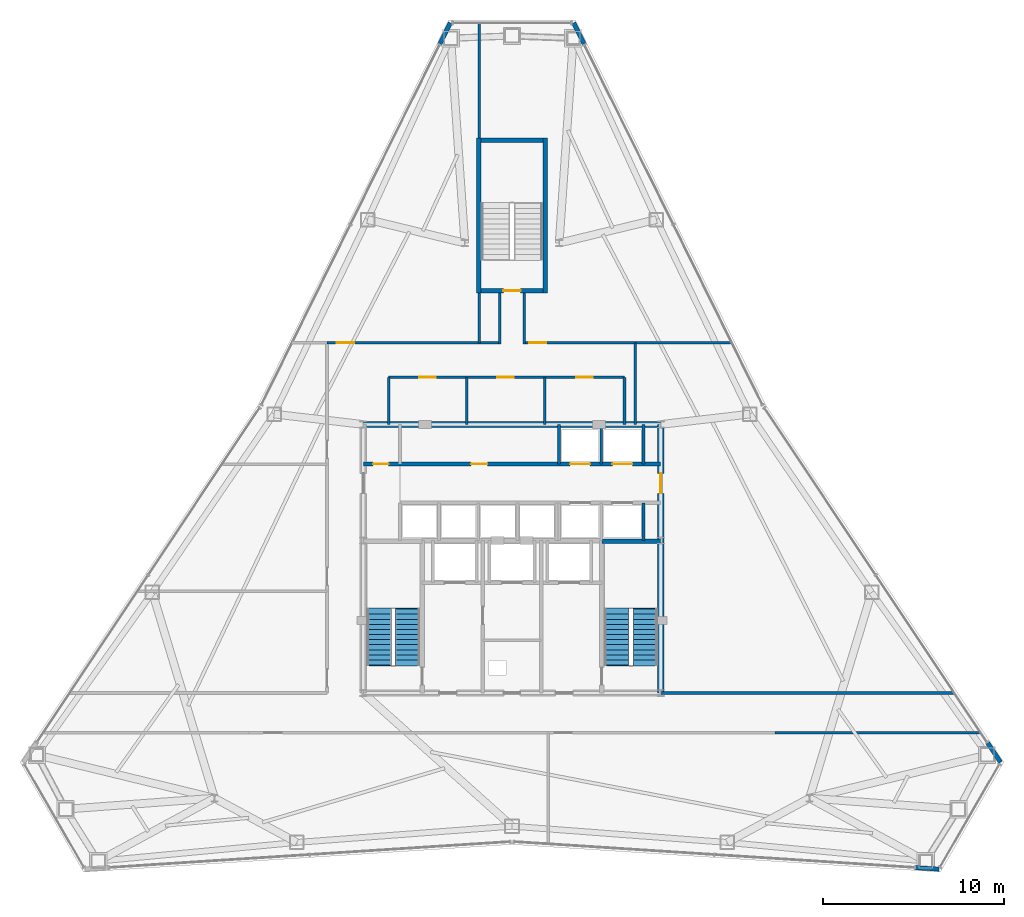
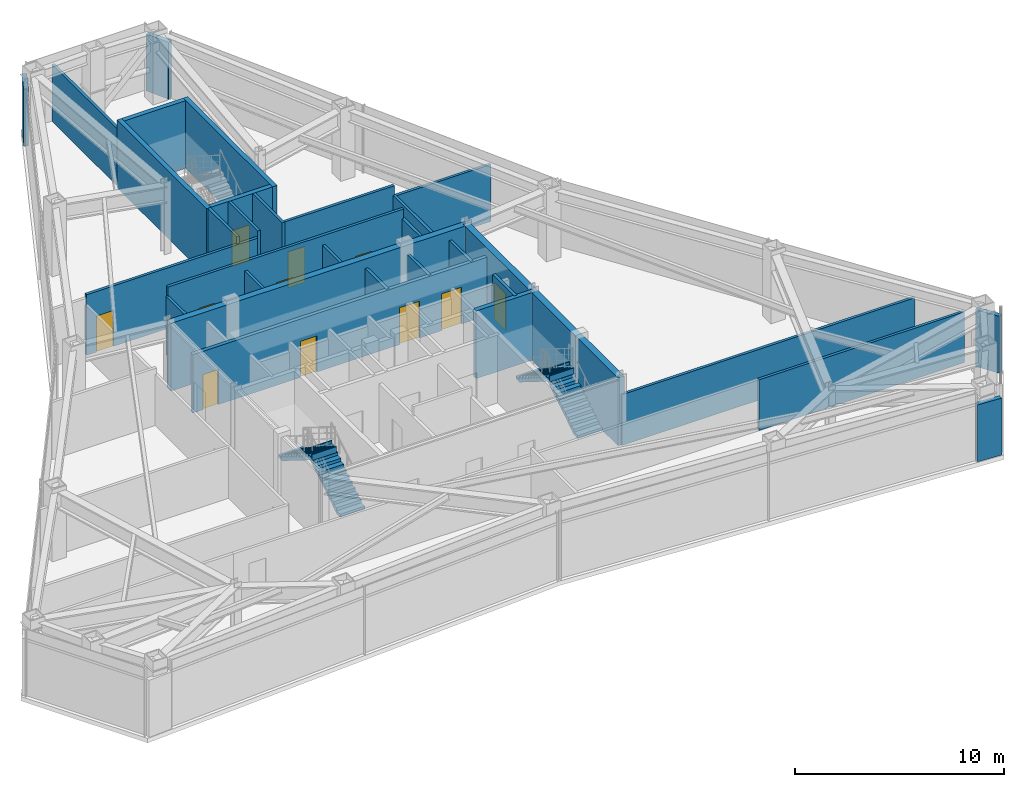
# One storey, part 11 of 13: 31 walls, 11 doors, 4 stair flights, 11 openings, 2 elements without a shape of their own.
"""IFC4 building model written with IfcOpenShell, lengths in metres."""

from ifc_helpers import new_model, si_unit, direction, frame, frame_2d, origin, place, context, subcontext, project, spatial, polyline, rectangle, outline, extrude, material, layer, layer_set, type_object, element, fill, aggregate, save


model = new_model("IFC4")

# Units and contexts
model_context = context("Model", 3, precision=1e-05, world=origin(), true_north=direction((0.0, 1.0)))
body_context = subcontext(model_context, "Body", "Model", "MODEL_VIEW")
ifc_project = project(units=[si_unit("LENGTHUNIT", "METRE"), si_unit("AREAUNIT", "SQUARE_METRE"), si_unit("VOLUMEUNIT", "CUBIC_METRE"), si_unit("PLANEANGLEUNIT", "RADIAN"), si_unit("MASSUNIT", "GRAM", prefix="KILO")], contexts=[model_context])

# Site, building, storey
site_placement = place(None, origin())
site = spatial("IfcSite", under=ifc_project, at=site_placement, CompositionType="ELEMENT")
building_placement = place(site_placement, origin())
building = spatial("IfcBuilding", under=site, at=building_placement, Name="Varakhsha Concourse Tower", CompositionType="ELEMENT")
storey_placement = place(building_placement, frame((0.0, 0.0, 200.699951171875)))
storey = spatial("IfcBuildingStorey", under=building, at=storey_placement, Name="L57", CompositionType="ELEMENT", Elevation=200.699951171875)

# Wall
ifc_material_1 = material(Name="Concrete fc 65 MPa", Category="concrete")
ifc_layer_1 = layer(ifc_material_1, 0.35009765625, Name="WL-CORE-350")
ifc_layer_set_1 = layer_set([ifc_layer_1], Name="Concrete fc 65 MPa")
wall_type_1 = type_object("IfcWallType", Name="WL-CORE-350", PredefinedType="SHEAR", material=ifc_layer_set_1)
wall_1_placement = place(storey_placement, frame((31.800048828125, 31.199951171875, 0.0), z_axis=(0.0, 0.0, 1.0), x_axis=(1.0, 0.0, 0.0)))
element("IfcWall", 1, at=wall_1_placement, inside=storey, type_object=wall_type_1, Name="L57 Wall CWALL-N-L57", PredefinedType="SHEAR", context=body_context, shape_type="SweptSolid", body=[
    extrude(rectangle(XDim=16.39990234375, YDim=0.35009765625, at=frame_2d((8.199951171875, 0.0))), origin(), (0.0, 0.0, 1.0), 3.949951171875),
])

# Wall, opening, door
wall_2_placement = place(storey_placement, frame((48.199951171875, 16.39990234375, 0.0), z_axis=(0.0, 0.0, 1.0), x_axis=(0.0, 1.0, 0.0)))
wall_2 = element("IfcWall", 2, at=wall_2_placement, inside=storey, type_object=wall_type_1, Name="L57 Wall CWALL-E-L57", PredefinedType="SHEAR", context=body_context, shape_type="SweptSolid", body=[
    extrude(rectangle(XDim=14.800048828125, YDim=0.35009765625, at=frame_2d((7.39990234375, 0.0))), origin(), (0.0, 0.0, 1.0), 3.949951171875),
])
opening_1_placement = place(wall_2_placement, frame((11.0, 0.0, 0.0)))
opening_1 = element("IfcOpeningElement", 3, at=opening_1_placement, cuts=wall_2, Name="Opening DL-01", PredefinedType="OPENING", context=body_context, shape_type="SweptSolid", body=[
    extrude(rectangle(XDim=1.10009765625, YDim=2.14990234375, at=frame_2d((0.550048828125, 1.074951171875))), frame((0.0, 0.18505859375, 0.0), z_axis=(0.0, -1.0, 0.0), x_axis=(1.0, 0.0, 0.0)), (0.0, 0.0, 1.0), 0.3701171875),
])
ifc_material_2 = material(Name="Anodised Bronze Architectural Aluminium AA 6063-T6", Category="aluminium")
door_type_1 = type_object("IfcDoorType", Name="DR-LOB-1100", OperationType="NOTDEFINED", PredefinedType="DOOR", material=ifc_material_2)
door_1_placement = place(opening_1_placement, origin())
door_1 = element("IfcDoor", 4, at=door_1_placement, inside=storey, type_object=door_type_1, Name="L57 Lift Lobby East Concourse Door", OperationType="SINGLE_SWING_RIGHT", OverallHeight=2.14990234375, OverallWidth=1.10009765625, PredefinedType="DOOR", context=body_context, shape_type="SweptSolid", body=[
    extrude(rectangle(XDim=1.10009765625, YDim=2.14990234375, at=frame_2d((0.550048828125, 1.074951171875))), frame((0.0, 0.02490234375, 0.0), z_axis=(0.0, -1.0, 0.0), x_axis=(1.0, 0.0, 0.0)), (0.0, 0.0, 1.0), 0.050048828125),
])
fill(opening_1, door_1)

# Walls
ifc_material_3 = material(Name="Concrete fc 45 MPa", Category="concrete")
ifc_layer_2 = layer(ifc_material_3, 0.239990234375, Name="WL-EXT-CRN-240")
ifc_layer_set_2 = layer_set([ifc_layer_2], Name="Concrete fc 45 MPa")
wall_type_2 = type_object("IfcWallType", Name="WL-EXT-CRN-240", PredefinedType="SHEAR", material=ifc_layer_set_2)
wall_3_placement = place(storey_placement, frame((36.600341796875, 53.340087890625, 0.0), z_axis=(0.0, 0.0, 1.0), x_axis=(-0.443198935227, -0.896423283842, 0.0)))
element("IfcWall", 5, at=wall_3_placement, inside=storey, type_object=wall_type_2, Name="L57 Wind-Corner Shoulder Wall F2", PredefinedType="SHEAR", context=body_context, shape_type="SweptSolid", body=[
    extrude(rectangle(XDim=1.290771484375, YDim=0.239990234375, at=frame_2d((0.6455078125, 0.0))), origin(), (0.0, 0.0, 1.0), 3.322998046875),
])
wall_4_placement = place(storey_placement, frame((62.248291015625, 6.768798828125, 0.0), z_axis=(0.0, 0.0, 1.0), x_axis=(0.997929227966, -0.064321504741, 0.0)))
element("IfcWall", 6, at=wall_4_placement, inside=storey, type_object=wall_type_2, Name="L57 Wind-Corner Shoulder Wall F6", PredefinedType="SHEAR", context=body_context, shape_type="SweptSolid", body=[
    extrude(rectangle(XDim=1.29052734375, YDim=0.239990234375, at=frame_2d((0.645263671875, 0.0))), origin(), (0.0, 0.0, 1.0), 3.322998046875),
])
wall_5_placement = place(storey_placement, frame((66.935302734375, 12.574951171875, 0.0), z_axis=(0.0, 0.0, 1.0), x_axis=(-0.554700196225, 0.832050294338, 0.0)))
element("IfcWall", 7, at=wall_5_placement, inside=storey, type_object=wall_type_2, Name="L57 Wind-Corner Shoulder Wall F8", PredefinedType="SHEAR", context=body_context, shape_type="SweptSolid", body=[
    extrude(rectangle(XDim=1.28955078125, YDim=0.239990234375, at=frame_2d((0.644775390625, 0.0))), origin(), (0.0, 0.0, 1.0), 3.322998046875),
])
wall_6_placement = place(storey_placement, frame((43.9716796875, 52.18310546875, 0.0), z_axis=(0.0, 0.0, 1.0), x_axis=(-0.443198935227, 0.896423283842, 0.0)))
element("IfcWall", 8, at=wall_6_placement, inside=storey, type_object=wall_type_2, Name="L57 Wind-Corner Shoulder Wall F9", PredefinedType="SHEAR", context=body_context, shape_type="SweptSolid", body=[
    extrude(rectangle(XDim=1.290771484375, YDim=0.239990234375, at=frame_2d((0.6455078125, 0.0))), origin(), (0.0, 0.0, 1.0), 3.322998046875),
])

# Wall, openings, doors
ifc_material_4 = material(Name="Fire-Rated Type X Gypsum Partition Assembly", Category="gypsum")
ifc_layer_3 = layer(ifc_material_4, 0.14990234375, Name="WL-PART-150")
ifc_layer_set_3 = layer_set([ifc_layer_3], Name="Fire-Rated Type X Gypsum Partition Assembly")
wall_type_3 = type_object("IfcWallType", Name="WL-PART-150", PredefinedType="PARTITIONING", material=ifc_layer_set_3)
wall_7_placement = place(storey_placement, frame((33.199951171875, 33.800048828125, 0.0), z_axis=(0.0, 0.0, 1.0), x_axis=(1.0, 0.0, 0.0)))
wall_7 = element("IfcWall", 9, at=wall_7_placement, inside=storey, type_object=wall_type_3, Name="L57 Wall NBOH-N-L57", PredefinedType="PARTITIONING", context=body_context, shape_type="SweptSolid", body=[
    extrude(rectangle(XDim=13.0, YDim=0.14990234375, at=frame_2d((6.5, 0.0))), origin(), (0.0, 0.0, 1.0), 3.949951171875),
])
opening_2_placement = place(wall_7_placement, frame((1.699951171875, 0.0, 0.0)))
opening_2 = element("IfcOpeningElement", 10, at=opening_2_placement, cuts=wall_7, Name="Opening DF-06", PredefinedType="OPENING", context=body_context, shape_type="SweptSolid", body=[
    extrude(rectangle(XDim=0.89990234375, YDim=2.10009765625, at=frame_2d((0.449951171875, 1.050048828125))), frame((0.0, 0.0849609375, 0.0), z_axis=(0.0, -1.0, 0.0), x_axis=(1.0, 0.0, 0.0)), (0.0, 0.0, 1.0), 0.169921875),
])
opening_3_placement = place(wall_7_placement, frame((6.0, 0.0, 0.0)))
opening_3 = element("IfcOpeningElement", 11, at=opening_3_placement, cuts=wall_7, Name="Opening DF-06", PredefinedType="OPENING", context=body_context, shape_type="SweptSolid", body=[
    extrude(rectangle(XDim=0.89990234375, YDim=2.10009765625, at=frame_2d((0.449951171875, 1.050048828125))), frame((0.0, 0.0849609375, 0.0), z_axis=(0.0, -1.0, 0.0), x_axis=(1.0, 0.0, 0.0)), (0.0, 0.0, 1.0), 0.169921875),
])
opening_4_placement = place(wall_7_placement, frame((10.35009765625, 0.0, 0.0)))
opening_4 = element("IfcOpeningElement", 12, at=opening_4_placement, cuts=wall_7, Name="Opening DF-06", PredefinedType="OPENING", context=body_context, shape_type="SweptSolid", body=[
    extrude(rectangle(XDim=0.89990234375, YDim=2.10009765625, at=frame_2d((0.449951171875, 1.050048828125))), frame((0.0, 0.0849609375, 0.0), z_axis=(0.0, -1.0, 0.0), x_axis=(1.0, 0.0, 0.0)), (0.0, 0.0, 1.0), 0.169921875),
])
ifc_material_5 = material(Name="Hollow Galvanised Steel Fire Door Assembly", Category="steel")
door_type_2 = type_object("IfcDoorType", Name="DR-FD60-900", OperationType="NOTDEFINED", PredefinedType="DOOR", material=ifc_material_5)
door_2_placement = place(opening_2_placement, origin())
door_2 = element("IfcDoor", 13, at=door_2_placement, inside=storey, type_object=door_type_2, Name="L57 Men Restroom WC Door", OperationType="SINGLE_SWING_LEFT", OverallHeight=2.10009765625, OverallWidth=0.89990234375, PredefinedType="DOOR", context=body_context, shape_type="SweptSolid", body=[
    extrude(rectangle(XDim=0.89990234375, YDim=2.10009765625, at=frame_2d((0.449951171875, 1.050048828125))), frame((0.0, 0.02490234375, 0.0), z_axis=(0.0, -1.0, 0.0), x_axis=(1.0, 0.0, 0.0)), (0.0, 0.0, 1.0), 0.050048828125),
])
fill(opening_2, door_2)
door_3_placement = place(opening_3_placement, origin())
door_3 = element("IfcDoor", 14, at=door_3_placement, inside=storey, type_object=door_type_2, Name="L57 Women Restroom WC Door", OperationType="SINGLE_SWING_RIGHT", OverallHeight=2.10009765625, OverallWidth=0.89990234375, PredefinedType="DOOR", context=body_context, shape_type="SweptSolid", body=[
    extrude(rectangle(XDim=0.89990234375, YDim=2.10009765625, at=frame_2d((0.449951171875, 1.050048828125))), frame((0.0, 0.02490234375, 0.0), z_axis=(0.0, -1.0, 0.0), x_axis=(1.0, 0.0, 0.0)), (0.0, 0.0, 1.0), 0.050048828125),
])
fill(opening_3, door_3)
door_4_placement = place(opening_4_placement, origin())
door_4 = element("IfcDoor", 15, at=door_4_placement, inside=storey, type_object=door_type_2, Name="L57 Accessible WC Door", OperationType="SINGLE_SWING_LEFT", OverallHeight=2.10009765625, OverallWidth=0.89990234375, PredefinedType="DOOR", context=body_context, shape_type="SweptSolid", body=[
    extrude(rectangle(XDim=0.89990234375, YDim=2.10009765625, at=frame_2d((0.449951171875, 1.050048828125))), frame((0.0, 0.02490234375, 0.0), z_axis=(0.0, -1.0, 0.0), x_axis=(1.0, 0.0, 0.0)), (0.0, 0.0, 1.0), 0.050048828125),
])
fill(opening_4, door_4)

# Walls
for number, where, z_axis, x_axis, name in (
    (16, (33.199951171875, 31.199951171875, 0.0), (0.0, 0.0, 1.0), (0.0, 1.0, 0.0), "L57 Wall NBOH-W-L57"),
    (17, (46.199951171875, 31.199951171875, 0.0), (0.0, 0.0, 1.0), (0.0, 1.0, 0.0), "L57 Wall NBOH-E-L57"),
    (18, (37.5, 31.199951171875, 0.0), (0.0, 0.0, 1.0), (0.0, 1.0, 0.0), "L57 Wall NBOH-D1-L57"),
    (19, (41.800048828125, 31.199951171875, 0.0), (0.0, 0.0, 1.0), (0.0, 1.0, 0.0), "L57 Wall NBOH-D2-L57"),
):
    element("IfcWall", number, at=place(storey_placement, frame(where, z_axis=z_axis, x_axis=x_axis)), inside=storey, type_object=wall_type_3, Name=name, PredefinedType="PARTITIONING", context=body_context, shape_type="SweptSolid", body=[
        extrude(rectangle(XDim=2.60009765625, YDim=0.14990234375, at=frame_2d((1.300048828125, 0.0))), origin(), (0.0, 0.0, 1.0), 3.405029296875),
    ])
wall_8_placement = place(storey_placement, frame((54.5, 14.199951171875, 0.0), z_axis=(0.0, 0.0, 1.0), x_axis=(1.0, 0.0, 0.0)))
element("IfcWall", 20, at=wall_8_placement, inside=storey, type_object=wall_type_3, Name="L57 Wall CRW-SGAL-SE-L57", PredefinedType="PARTITIONING", context=body_context, shape_type="SweptSolid", body=[
    extrude(rectangle(XDim=11.34619140625, YDim=0.14990234375, at=frame_2d((5.673095703125, 0.0))), origin(), (0.0, 0.0, 1.0), 2.965087890625),
])
wall_9_placement = place(storey_placement, frame((48.199951171875, 16.39990234375, 0.0), z_axis=(0.0, 0.0, 1.0), x_axis=(1.0, 0.0, 0.0)))
element("IfcWall", 21, at=wall_9_placement, inside=storey, type_object=wall_type_3, Name="L57 Wall CRW-SGAL-NE-L57", PredefinedType="PARTITIONING", context=body_context, shape_type="SweptSolid", body=[
    extrude(rectangle(XDim=16.179931640625, YDim=0.14990234375, at=frame_2d((8.08984375, 0.0))), origin(), (0.0, 0.0, 1.0), 2.965087890625),
])

# Wall, opening, door
wall_10_placement = place(storey_placement, frame((29.800048828125, 35.699951171875, 0.0), z_axis=(0.0, 0.0, 1.0), x_axis=(1.0, 0.0, 0.0)))
wall_10 = element("IfcWall", 22, at=wall_10_placement, inside=storey, type_object=wall_type_3, Name="L57 Wall CRW-N-L57", PredefinedType="PARTITIONING", context=body_context, shape_type="SweptSolid", body=[
    extrude(rectangle(XDim=9.449951171875, YDim=0.14990234375, at=frame_2d((4.72509765625, 0.0))), origin(), (0.0, 0.0, 1.0), 3.532958984375),
])
opening_5_placement = place(wall_10_placement, frame((0.550048828125, 0.0, 0.0)))
opening_5 = element("IfcOpeningElement", 23, at=opening_5_placement, cuts=wall_10, Name="Opening DF-05", PredefinedType="OPENING", context=body_context, shape_type="SweptSolid", body=[
    extrude(rectangle(XDim=0.949951171875, YDim=2.10009765625, at=frame_2d((0.47509765625, 1.050048828125))), frame((0.0, 0.0849609375, 0.0), z_axis=(0.0, -1.0, 0.0), x_axis=(1.0, 0.0, 0.0)), (0.0, 0.0, 1.0), 0.169921875),
])
door_type_3 = type_object("IfcDoorType", Name="DR-FD60-950", OperationType="NOTDEFINED", PredefinedType="DOOR", material=ifc_material_5)
door_5_placement = place(opening_5_placement, origin())
door_5 = element("IfcDoor", 24, at=door_5_placement, inside=storey, type_object=door_type_3, Name="L57 Mountain View Concourse Briefing Room L57-N1 Door", OperationType="SINGLE_SWING_LEFT", OverallHeight=2.10009765625, OverallWidth=0.949951171875, PredefinedType="DOOR", context=body_context, shape_type="SweptSolid", body=[
    extrude(rectangle(XDim=0.949951171875, YDim=2.10009765625, at=frame_2d((0.47509765625, 1.050048828125))), frame((0.0, 0.02490234375, 0.0), z_axis=(0.0, -1.0, 0.0), x_axis=(1.0, 0.0, 0.0)), (0.0, 0.0, 1.0), 0.050048828125),
])
fill(opening_5, door_5)

wall_11_placement = place(storey_placement, frame((40.75, 35.699951171875, 0.0), z_axis=(0.0, 0.0, 1.0), x_axis=(1.0, 0.0, 0.0)))
wall_11 = element("IfcWall", 25, at=wall_11_placement, inside=storey, type_object=wall_type_3, Name="L57 Wall CRW-N-L57-B", PredefinedType="PARTITIONING", context=body_context, shape_type="SweptSolid", body=[
    extrude(rectangle(XDim=6.050048828125, YDim=0.14990234375, at=frame_2d((3.02490234375, 0.0))), origin(), (0.0, 0.0, 1.0), 3.949951171875),
])
opening_6_placement = place(wall_11_placement, frame((0.199951171875, 0.0, 0.0)))
opening_6 = element("IfcOpeningElement", 26, at=opening_6_placement, cuts=wall_11, Name="Opening DF-05", PredefinedType="OPENING", context=body_context, shape_type="SweptSolid", body=[
    extrude(rectangle(XDim=0.949951171875, YDim=2.10009765625, at=frame_2d((0.47509765625, 1.050048828125))), frame((0.0, 0.0849609375, 0.0), z_axis=(0.0, -1.0, 0.0), x_axis=(1.0, 0.0, 0.0)), (0.0, 0.0, 1.0), 0.169921875),
])
door_6_placement = place(opening_6_placement, origin())
door_6 = element("IfcDoor", 27, at=door_6_placement, inside=storey, type_object=door_type_3, Name="L57 North Sky Lobby Transfer Lounge L57-N2 Door", OperationType="SINGLE_SWING_RIGHT", OverallHeight=2.10009765625, OverallWidth=0.949951171875, PredefinedType="DOOR", context=body_context, shape_type="SweptSolid", body=[
    extrude(rectangle(XDim=0.949951171875, YDim=2.10009765625, at=frame_2d((0.47509765625, 1.050048828125))), frame((0.0, 0.02490234375, 0.0), z_axis=(0.0, -1.0, 0.0), x_axis=(1.0, 0.0, 0.0)), (0.0, 0.0, 1.0), 0.050048828125),
])
fill(opening_6, door_6)

# Walls
wall_12_placement = place(storey_placement, frame((46.800048828125, 31.199951171875, 0.0), z_axis=(0.0, 0.0, 1.0), x_axis=(0.0, 1.0, 0.0)))
element("IfcWall", 28, at=wall_12_placement, inside=storey, type_object=wall_type_3, Name="L57 Wall CRW-NE-L57", PredefinedType="PARTITIONING", context=body_context, shape_type="SweptSolid", body=[
    extrude(rectangle(XDim=4.5, YDim=0.14990234375, at=frame_2d((2.25, 0.0))), origin(), (0.0, 0.0, 1.0), 3.405029296875),
])
wall_13_placement = place(storey_placement, frame((46.800048828125, 35.699951171875, 0.0), z_axis=(0.0, 0.0, 1.0), x_axis=(1.0, 0.0, 0.0)))
element("IfcWall", 29, at=wall_13_placement, inside=storey, type_object=wall_type_3, Name="L57 Wall ODIV-EBN-L57", PredefinedType="PARTITIONING", context=body_context, shape_type="SweptSolid", body=[
    extrude(rectangle(XDim=5.31884765625, YDim=0.14990234375, at=frame_2d((2.659423828125, 0.0))), origin(), (0.0, 0.0, 1.0), 3.3291015625),
])
wall_14_placement = place(storey_placement, frame((38.199951171875, 35.699951171875, 0.0), z_axis=(0.0, 0.0, 1.0), x_axis=(0.0, 1.0, 0.0)))
element("IfcWall", 30, at=wall_14_placement, inside=storey, type_object=wall_type_3, Name="L57 Wall ODIV-N1-L57", PredefinedType="PARTITIONING", context=body_context, shape_type="SweptSolid", body=[
    extrude(rectangle(XDim=2.75, YDim=0.14990234375, at=frame_2d((1.375, 0.0))), origin(), (0.0, 0.0, 1.0), 3.949951171875),
])
wall_15_placement = place(storey_placement, frame((38.199951171875, 47.0, 0.0), z_axis=(0.0, 0.0, 1.0), x_axis=(0.0, 1.0, 0.0)))
element("IfcWall", 31, at=wall_15_placement, inside=storey, type_object=wall_type_3, Name="L57 Wall ODIV-N1-L57-B", PredefinedType="PARTITIONING", context=body_context, shape_type="SweptSolid", body=[
    extrude(rectangle(XDim=6.332763671875, YDim=0.14990234375, at=frame_2d((3.16650390625, 0.0))), origin(), (0.0, 0.0, 1.0), 3.3291015625),
])
for number, where, z_axis, x_axis, name in (
    (32, (39.324951171875, 35.625, 0.0), (0.0, 0.0, 1.0), (0.0, 1.0, 0.0), "L57 Wall STUB-W-L57"),
    (33, (40.675048828125, 35.625, 0.0), (0.0, 0.0, 1.0), (0.0, 1.0, 0.0), "L57 Wall STUB-E-L57"),
):
    element("IfcWall", number, at=place(storey_placement, frame(where, z_axis=z_axis, x_axis=x_axis)), inside=storey, type_object=wall_type_3, Name=name, PredefinedType="PARTITIONING", context=body_context, shape_type="SweptSolid", body=[
        extrude(rectangle(XDim=2.824951171875, YDim=0.14990234375, at=frame_2d((1.41259765625, 0.0))), origin(), (0.0, 0.0, 1.0), 3.949951171875),
    ])

# Wall, openings, doors
ifc_layer_4 = layer(ifc_material_4, 0.199951171875, Name="WL-SHAFT-220")
ifc_layer_set_4 = layer_set([ifc_layer_4], Name="Fire-Rated Type X Gypsum Partition Assembly")
wall_type_4 = type_object("IfcWallType", Name="WL-SHAFT-220", PredefinedType="SOLIDWALL", material=ifc_layer_set_4)
wall_16_placement = place(storey_placement, frame((31.800048828125, 29.02001953125, 0.0), z_axis=(0.0, 0.0, 1.0), x_axis=(1.0, 0.0, 0.0)))
wall_16 = element("IfcWall", 34, at=wall_16_placement, inside=storey, type_object=wall_type_4, Name="L57 Wall PLW-N-L57", PredefinedType="SOLIDWALL", context=body_context, shape_type="SweptSolid", body=[
    extrude(rectangle(XDim=16.39990234375, YDim=0.199951171875, at=frame_2d((8.199951171875, 0.0))), origin(), (0.0, 0.0, 1.0), 3.405029296875),
])
opening_7_placement = place(wall_16_placement, frame((0.550048828125, 0.0, 0.0)))
opening_7 = element("IfcOpeningElement", 35, at=opening_7_placement, cuts=wall_16, Name="Opening DF-07", PredefinedType="OPENING", context=body_context, shape_type="SweptSolid", body=[
    extrude(rectangle(XDim=0.85009765625, YDim=2.050048828125, at=frame_2d((0.425048828125, 1.02490234375))), frame((0.0, 0.10986328125, 0.0), z_axis=(0.0, -1.0, 0.0), x_axis=(1.0, 0.0, 0.0)), (0.0, 0.0, 1.0), 0.219970703125),
])
opening_8_placement = place(wall_16_placement, frame((5.93994140625, 0.0, 0.0)))
opening_8 = element("IfcOpeningElement", 36, at=opening_8_placement, cuts=wall_16, Name="Opening DF-06", PredefinedType="OPENING", context=body_context, shape_type="SweptSolid", body=[
    extrude(rectangle(XDim=0.89990234375, YDim=2.10009765625, at=frame_2d((0.449951171875, 1.050048828125))), frame((0.0, 0.10986328125, 0.0), z_axis=(0.0, -1.0, 0.0), x_axis=(1.0, 0.0, 0.0)), (0.0, 0.0, 1.0), 0.219970703125),
])
opening_9_placement = place(wall_16_placement, frame((11.409912109375, 0.0, 0.0)))
opening_9 = element("IfcOpeningElement", 37, at=opening_9_placement, cuts=wall_16, Name="Opening LD-LF-P09", PredefinedType="OPENING", context=body_context, shape_type="SweptSolid", body=[
    extrude(rectangle(XDim=1.10009765625, YDim=2.14990234375, at=frame_2d((0.550048828125, 1.074951171875))), frame((0.0, 0.10986328125, 0.0), z_axis=(0.0, -1.0, 0.0), x_axis=(1.0, 0.0, 0.0)), (0.0, 0.0, 1.0), 0.219970703125),
])
opening_10_placement = place(wall_16_placement, frame((13.72998046875, 0.0, 0.0)))
opening_10 = element("IfcOpeningElement", 38, at=opening_10_placement, cuts=wall_16, Name="Opening LD-LF-P10", PredefinedType="OPENING", context=body_context, shape_type="SweptSolid", body=[
    extrude(rectangle(XDim=1.10009765625, YDim=2.14990234375, at=frame_2d((0.550048828125, 1.074951171875))), frame((0.0, 0.10986328125, 0.0), z_axis=(0.0, -1.0, 0.0), x_axis=(1.0, 0.0, 0.0)), (0.0, 0.0, 1.0), 0.219970703125),
])
door_type_4 = type_object("IfcDoorType", Name="DR-FD60-850", OperationType="NOTDEFINED", PredefinedType="DOOR", material=ifc_material_5)
door_7_placement = place(opening_7_placement, origin())
door_7 = element("IfcDoor", 39, at=door_7_placement, inside=storey, type_object=door_type_4, Name="L57 Core Janitor Closet Door", OperationType="SINGLE_SWING_LEFT", OverallHeight=2.050048828125, OverallWidth=0.85009765625, PredefinedType="DOOR", context=body_context, shape_type="SweptSolid", body=[
    extrude(rectangle(XDim=0.85009765625, YDim=2.050048828125, at=frame_2d((0.425048828125, 1.02490234375))), frame((0.0, 0.02490234375, 0.0), z_axis=(0.0, -1.0, 0.0), x_axis=(1.0, 0.0, 0.0)), (0.0, 0.0, 1.0), 0.050048828125),
])
fill(opening_7, door_7)
door_8_placement = place(opening_8_placement, origin())
door_8 = element("IfcDoor", 40, at=door_8_placement, inside=storey, type_object=door_type_2, Name="L57 Tenant Archive and IT Server Room Door", OperationType="SINGLE_SWING_LEFT", OverallHeight=2.10009765625, OverallWidth=0.89990234375, PredefinedType="DOOR", context=body_context, shape_type="SweptSolid", body=[
    extrude(rectangle(XDim=0.89990234375, YDim=2.10009765625, at=frame_2d((0.449951171875, 1.050048828125))), frame((0.0, 0.02490234375, 0.0), z_axis=(0.0, -1.0, 0.0), x_axis=(1.0, 0.0, 0.0)), (0.0, 0.0, 1.0), 0.050048828125),
])
fill(opening_8, door_8)
ifc_material_6 = material(Name="Brushed Austenitic Stainless Steel AISI 316", Category="steel")
door_type_5 = type_object("IfcDoorType", Name="DR-LD-1100", OperationType="DOUBLE_DOOR_SLIDING", PredefinedType="DOOR", material=ifc_material_6)
door_9_placement = place(opening_9_placement, origin())
door_9 = element("IfcDoor", 41, at=door_9_placement, inside=storey, type_object=door_type_5, Name="Lift Landing Door LF-P09 L57", OperationType="DOUBLE_DOOR_SLIDING", OverallHeight=2.14990234375, OverallWidth=1.10009765625, PredefinedType="DOOR", context=body_context, shape_type="SweptSolid", body=[
    extrude(rectangle(XDim=1.10009765625, YDim=2.14990234375, at=frame_2d((0.550048828125, 1.074951171875))), frame((0.0, 0.02490234375, 0.0), z_axis=(0.0, -1.0, 0.0), x_axis=(1.0, 0.0, 0.0)), (0.0, 0.0, 1.0), 0.050048828125),
])
fill(opening_9, door_9)
door_10_placement = place(opening_10_placement, origin())
door_10 = element("IfcDoor", 42, at=door_10_placement, inside=storey, type_object=door_type_5, Name="Lift Landing Door LF-P10 L57", OperationType="DOUBLE_DOOR_SLIDING", OverallHeight=2.14990234375, OverallWidth=1.10009765625, PredefinedType="DOOR", context=body_context, shape_type="SweptSolid", body=[
    extrude(rectangle(XDim=1.10009765625, YDim=2.14990234375, at=frame_2d((0.550048828125, 1.074951171875))), frame((0.0, 0.02490234375, 0.0), z_axis=(0.0, -1.0, 0.0), x_axis=(1.0, 0.0, 0.0)), (0.0, 0.0, 1.0), 0.050048828125),
])
fill(opening_10, door_10)

# Walls
for number, where, z_axis, x_axis, name in (
    (43, (42.60009765625, 29.02001953125, 0.0), (0.0, 0.0, 1.0), (0.0, 1.0, 0.0), "L57 Wall SHW-LF-P09-W-L57"),
    (44, (44.919921875, 29.02001953125, 0.0), (0.0, 0.0, 1.0), (0.0, 1.0, 0.0), "L57 Wall SHW-LF-P09-E-L57"),
    (45, (47.239990234375, 29.02001953125, 0.0), (0.0, 0.0, 1.0), (0.0, 1.0, 0.0), "L57 Wall SHW-LF-P10-E-L57"),
):
    element("IfcWall", number, at=place(storey_placement, frame(where, z_axis=z_axis, x_axis=x_axis)), inside=storey, type_object=wall_type_4, Name=name, PredefinedType="SOLIDWALL", context=body_context, shape_type="SweptSolid", body=[
        extrude(rectangle(XDim=2.179931640625, YDim=0.159912109375, at=frame_2d((1.08984375, 0.0))), origin(), (0.0, 0.0, 1.0), 3.405029296875),
    ])
wall_17_placement = place(storey_placement, frame((47.239990234375, 24.800048828125, 0.0), z_axis=(0.0, 0.0, 1.0), x_axis=(0.0, 1.0, 0.0)))
element("IfcWall", 46, at=wall_17_placement, inside=storey, type_object=wall_type_4, Name="L57 Wall SHW-LF-P12-E-L57", PredefinedType="SOLIDWALL", context=body_context, shape_type="SweptSolid", body=[
    extrude(rectangle(XDim=2.079833984375, YDim=0.159912109375, at=frame_2d((1.0400390625, 0.0))), origin(), (0.0, 0.0, 1.0), 3.949951171875),
])
ifc_layer_5 = layer(ifc_material_3, 0.25, Name="WL-STAIR-250")
ifc_layer_set_5 = layer_set([ifc_layer_5], Name="Concrete fc 45 MPa")
wall_type_5 = type_object("IfcWallType", Name="WL-STAIR-250", PredefinedType="SHEAR", material=ifc_layer_set_5)
wall_18_placement = place(storey_placement, frame((44.955078125, 24.7548828125, 0.0), z_axis=(0.0, 0.0, 1.0), x_axis=(1.0, 0.0, 0.0)))
element("IfcWall", 47, at=wall_18_placement, inside=storey, type_object=wall_type_5, Name="L57 Wall SWALL-ST2-N-L57", PredefinedType="SHEAR", context=body_context, shape_type="SweptSolid", body=[
    extrude(rectangle(XDim=3.244873046875, YDim=0.25, at=frame_2d((1.62255859375, 0.0))), origin(), (0.0, 0.0, 1.0), 3.949951171875),
])
for number, where, z_axis, x_axis, name in (
    (48, (38.175048828125, 38.449951171875, 0.0), (0.0, 0.0, 1.0), (0.0, 1.0, 0.0), "L57 Wall SWALL-ST5-W-L57"),
    (49, (41.824951171875, 38.449951171875, 0.0), (0.0, 0.0, 1.0), (0.0, 1.0, 0.0), "L57 Wall SWALL-ST5-E-L57"),
):
    element("IfcWall", number, at=place(storey_placement, frame(where, z_axis=z_axis, x_axis=x_axis)), inside=storey, type_object=wall_type_5, Name=name, PredefinedType="SHEAR", context=body_context, shape_type="SweptSolid", body=[
        extrude(rectangle(XDim=8.550048828125, YDim=0.25, at=frame_2d((4.27490234375, 0.0))), origin(), (0.0, 0.0, 1.0), 3.949951171875),
    ])

# Wall, opening, door
wall_19_placement = place(storey_placement, frame((38.300048828125, 38.574951171875, 0.0), z_axis=(0.0, 0.0, 1.0), x_axis=(1.0, 0.0, 0.0)))
wall_19 = element("IfcWall", 50, at=wall_19_placement, inside=storey, type_object=wall_type_5, Name="L57 Wall SWALL-ST5-S-L57", PredefinedType="SHEAR", context=body_context, shape_type="SweptSolid", body=[
    extrude(rectangle(XDim=3.39990234375, YDim=0.25, at=frame_2d((1.699951171875, 0.0))), origin(), (0.0, 0.0, 1.0), 3.949951171875),
])
opening_11_placement = place(wall_19_placement, frame((1.22509765625, 0.0, 0.0)))
opening_11 = element("IfcOpeningElement", 51, at=opening_11_placement, cuts=wall_19, Name="Opening DF-03", PredefinedType="OPENING", context=body_context, shape_type="SweptSolid", body=[
    extrude(rectangle(XDim=0.949951171875, YDim=2.10009765625, at=frame_2d((0.47509765625, 1.050048828125))), frame((0.0, 0.135009765625, 0.0), z_axis=(0.0, -1.0, 0.0), x_axis=(1.0, 0.0, 0.0)), (0.0, 0.0, 1.0), 0.27001953125),
])
door_type_6 = type_object("IfcDoorType", Name="DR-FD90-950", OperationType="NOTDEFINED", PredefinedType="DOOR", material=ifc_material_5)
door_11_placement = place(opening_11_placement, origin())
door_11 = element("IfcDoor", 52, at=door_11_placement, inside=storey, type_object=door_type_6, Name="L57 Stair ST5 Fire Door", OperationType="SINGLE_SWING_RIGHT", OverallHeight=2.10009765625, OverallWidth=0.949951171875, PredefinedType="DOOR", context=body_context, shape_type="SweptSolid", body=[
    extrude(rectangle(XDim=0.949951171875, YDim=2.10009765625, at=frame_2d((0.47509765625, 1.050048828125))), frame((0.0, 0.02490234375, 0.0), z_axis=(0.0, -1.0, 0.0), x_axis=(1.0, 0.0, 0.0)), (0.0, 0.0, 1.0), 0.050048828125),
])
fill(opening_11, door_11)

# Wall
wall_20_placement = place(storey_placement, frame((38.300048828125, 46.875, 0.0), z_axis=(0.0, 0.0, 1.0), x_axis=(1.0, 0.0, 0.0)))
element("IfcWall", 53, at=wall_20_placement, inside=storey, type_object=wall_type_5, Name="L57 Wall SWALL-ST5-N-L57", PredefinedType="SHEAR", context=body_context, shape_type="SweptSolid", body=[
    extrude(rectangle(XDim=3.39990234375, YDim=0.25, at=frame_2d((1.699951171875, 0.0))), origin(), (0.0, 0.0, 1.0), 3.949951171875),
])

# Stair, stair flights
stair_type = type_object("IfcStairType", Name="ST-DOGLEG-1360", PredefinedType="HALF_TURN_STAIR", material=ifc_material_3)
stair_1_placement = place(storey_placement, origin())
stair_1 = element("IfcStair", 54, at=stair_1_placement, inside=storey, type_object=stair_type, Name="L57 Protected Exit Stair ST1", PredefinedType="HALF_TURN_STAIR")
stair_flight_type = type_object("IfcStairFlightType", Name="STF-1360-R1750", PredefinedType="STRAIGHT", material=ifc_material_3)
stair_flight_1_placement = place(storey_placement, frame((34.239990234375, 17.93994140625, 0.0), z_axis=(0.0, 0.0, 1.0), x_axis=(0.0, 1.0, 0.0)))
stair_flight_1 = element("IfcStairFlight", 55, at=stair_flight_1_placement, type_object=stair_flight_type, Name="ST1 flight 1", NumberOfRisers=12, NumberOfTreads=11, PredefinedType="STRAIGHT", RiserHeight=0.175, TreadLength=0.28, context=body_context, shape_type="SweptSolid", body=[
    extrude(outline(polyline([(-0.06005859375, 0.0), (-0.06005859375, 0.175048828125), (0.0, 0.175048828125), (0.280029296875, 0.175048828125), (0.280029296875, 0.35009765625), (0.56005859375, 0.35009765625), (0.56005859375, 0.52490234375), (0.840087890625, 0.52490234375), (0.840087890625, 0.699951171875), (1.1201171875, 0.699951171875), (1.1201171875, 0.875), (1.39990234375, 0.875), (1.39990234375, 1.050048828125), (1.679931640625, 1.050048828125), (1.679931640625, 1.22509765625), (1.9599609375, 1.22509765625), (1.9599609375, 1.39990234375), (2.239990234375, 1.39990234375), (2.239990234375, 1.574951171875), (2.52001953125, 1.574951171875), (2.52001953125, 1.75), (2.800048828125, 1.75), (2.800048828125, 1.925048828125), (3.080078125, 1.925048828125), (3.080078125, 2.10009765625), (3.139892578125, 2.10009765625), (3.139892578125, 1.748291015625), (3.080078125, 1.748291015625), (0.28271484375, 0.0), (-0.06005859375, 0.0)])), frame((0.0, 0.68017578125, 0.0), z_axis=(0.0, -1.0, 0.0), x_axis=(1.0, 0.0, 0.0)), (0.0, 0.0, 1.0), 1.360107421875),
])
stair_flight_2_placement = place(storey_placement, frame((32.679931640625, 21.02001953125, 2.10009765625), z_axis=(0.0, 0.0, 1.0), x_axis=(0.0, -1.0, 0.0)))
stair_flight_2 = element("IfcStairFlight", 56, at=stair_flight_2_placement, type_object=stair_flight_type, Name="ST1 flight 2", NumberOfRisers=12, NumberOfTreads=11, PredefinedType="STRAIGHT", RiserHeight=0.175, TreadLength=0.28, context=body_context, shape_type="SweptSolid", body=[
    extrude(outline(polyline([(-0.06005859375, 0.0), (-0.06005859375, 0.175048828125), (0.0, 0.175048828125), (0.280029296875, 0.175048828125), (0.280029296875, 0.35009765625), (0.56005859375, 0.35009765625), (0.56005859375, 0.52490234375), (0.840087890625, 0.52490234375), (0.840087890625, 0.699951171875), (1.1201171875, 0.699951171875), (1.1201171875, 0.875), (1.39990234375, 0.875), (1.39990234375, 1.050048828125), (1.679931640625, 1.050048828125), (1.679931640625, 1.22509765625), (1.9599609375, 1.22509765625), (1.9599609375, 1.39990234375), (2.239990234375, 1.39990234375), (2.239990234375, 1.574951171875), (2.52001953125, 1.574951171875), (2.52001953125, 1.75), (2.800048828125, 1.75), (2.800048828125, 1.925048828125), (3.080078125, 1.925048828125), (3.080078125, 2.10009765625), (3.139892578125, 2.10009765625), (3.139892578125, 1.748291015625), (3.080078125, 1.748291015625), (0.28271484375, 0.0), (-0.06005859375, 0.0)])), frame((0.0, 0.68017578125, 0.0), z_axis=(0.0, -1.0, 0.0), x_axis=(1.0, 0.0, 0.0)), (0.0, 0.0, 1.0), 1.360107421875),
])
aggregate(stair_1, [stair_flight_1, stair_flight_2])

stair_2_placement = place(storey_placement, origin())
stair_2 = element("IfcStair", 57, at=stair_2_placement, inside=storey, type_object=stair_type, Name="L57 Protected Exit Stair ST2", PredefinedType="HALF_TURN_STAIR")
stair_flight_3_placement = place(storey_placement, frame((47.340087890625, 17.93994140625, 0.0), z_axis=(0.0, 0.0, 1.0), x_axis=(0.0, 1.0, 0.0)))
stair_flight_3 = element("IfcStairFlight", 58, at=stair_flight_3_placement, type_object=stair_flight_type, Name="ST2 flight 1", NumberOfRisers=12, NumberOfTreads=11, PredefinedType="STRAIGHT", RiserHeight=0.175, TreadLength=0.28, context=body_context, shape_type="SweptSolid", body=[
    extrude(outline(polyline([(-0.06005859375, 0.0), (-0.06005859375, 0.175048828125), (0.0, 0.175048828125), (0.280029296875, 0.175048828125), (0.280029296875, 0.35009765625), (0.56005859375, 0.35009765625), (0.56005859375, 0.52490234375), (0.840087890625, 0.52490234375), (0.840087890625, 0.699951171875), (1.1201171875, 0.699951171875), (1.1201171875, 0.875), (1.39990234375, 0.875), (1.39990234375, 1.050048828125), (1.679931640625, 1.050048828125), (1.679931640625, 1.22509765625), (1.9599609375, 1.22509765625), (1.9599609375, 1.39990234375), (2.239990234375, 1.39990234375), (2.239990234375, 1.574951171875), (2.52001953125, 1.574951171875), (2.52001953125, 1.75), (2.800048828125, 1.75), (2.800048828125, 1.925048828125), (3.080078125, 1.925048828125), (3.080078125, 2.10009765625), (3.139892578125, 2.10009765625), (3.139892578125, 1.748291015625), (3.080078125, 1.748291015625), (0.28271484375, 0.0), (-0.06005859375, 0.0)])), frame((0.0, 0.68017578125, 0.0), z_axis=(0.0, -1.0, 0.0), x_axis=(1.0, 0.0, 0.0)), (0.0, 0.0, 1.0), 1.360107421875),
])
stair_flight_4_placement = place(storey_placement, frame((45.780029296875, 21.02001953125, 2.10009765625), z_axis=(0.0, 0.0, 1.0), x_axis=(0.0, -1.0, 0.0)))
stair_flight_4 = element("IfcStairFlight", 59, at=stair_flight_4_placement, type_object=stair_flight_type, Name="ST2 flight 2", NumberOfRisers=12, NumberOfTreads=11, PredefinedType="STRAIGHT", RiserHeight=0.175, TreadLength=0.28, context=body_context, shape_type="SweptSolid", body=[
    extrude(outline(polyline([(-0.06005859375, 0.0), (-0.06005859375, 0.175048828125), (0.0, 0.175048828125), (0.280029296875, 0.175048828125), (0.280029296875, 0.35009765625), (0.56005859375, 0.35009765625), (0.56005859375, 0.52490234375), (0.840087890625, 0.52490234375), (0.840087890625, 0.699951171875), (1.1201171875, 0.699951171875), (1.1201171875, 0.875), (1.39990234375, 0.875), (1.39990234375, 1.050048828125), (1.679931640625, 1.050048828125), (1.679931640625, 1.22509765625), (1.9599609375, 1.22509765625), (1.9599609375, 1.39990234375), (2.239990234375, 1.39990234375), (2.239990234375, 1.574951171875), (2.52001953125, 1.574951171875), (2.52001953125, 1.75), (2.800048828125, 1.75), (2.800048828125, 1.925048828125), (3.080078125, 1.925048828125), (3.080078125, 2.10009765625), (3.139892578125, 2.10009765625), (3.139892578125, 1.748291015625), (3.080078125, 1.748291015625), (0.28271484375, 0.0), (-0.06005859375, 0.0)])), frame((0.0, 0.68017578125, 0.0), z_axis=(0.0, -1.0, 0.0), x_axis=(1.0, 0.0, 0.0)), (0.0, 0.0, 1.0), 1.360107421875),
])
aggregate(stair_2, [stair_flight_3, stair_flight_4])

save(model, "model.ifc")
